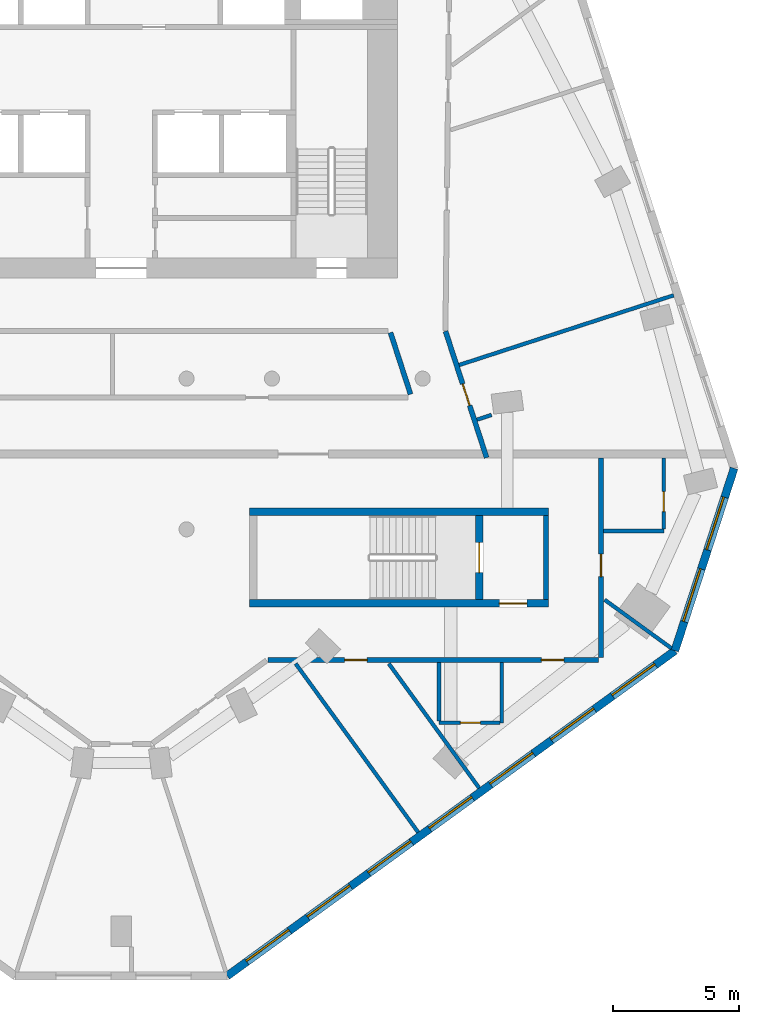
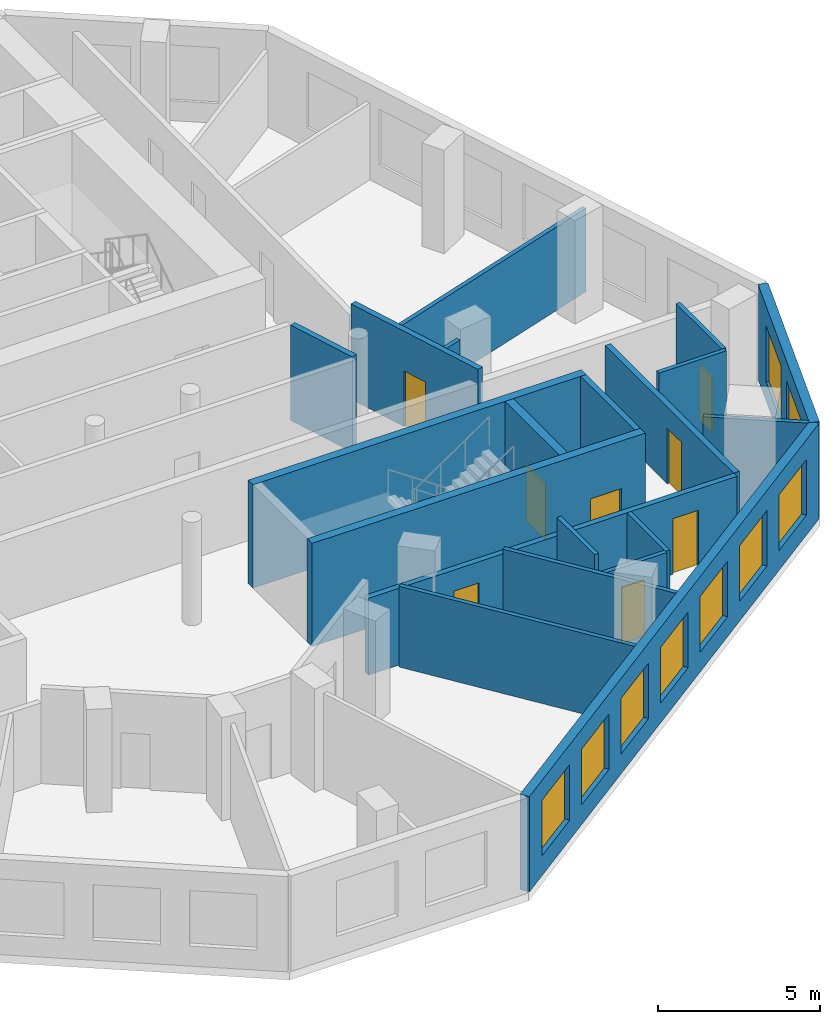
# One storey, part 4 of 9: 20 walls, 9 windows, 8 doors, 17 openings.
"""IFC4 building model written with IfcOpenShell, lengths in metres."""

from ifc_helpers import new_model, si_unit, direction, frame, frame_2d, origin, place, context, subcontext, project, spatial, rectangle, extrude, material, layer, layer_set, type_object, element, fill, save


model = new_model("IFC4")

# Units and contexts
model_context = context("Model", 3, precision=1e-05, world=origin(), true_north=direction((0.0, 1.0)))
body_context = subcontext(model_context, "Body", "Model", "MODEL_VIEW")
ifc_project = project(units=[si_unit("LENGTHUNIT", "METRE"), si_unit("AREAUNIT", "SQUARE_METRE"), si_unit("VOLUMEUNIT", "CUBIC_METRE"), si_unit("PLANEANGLEUNIT", "RADIAN"), si_unit("MASSUNIT", "GRAM", prefix="KILO")], contexts=[model_context])

# Site, building, storey
site_placement = place(None, origin())
site = spatial("IfcSite", under=ifc_project, at=site_placement, CompositionType="ELEMENT")
building_placement = place(site_placement, origin())
building = spatial("IfcBuilding", under=site, at=building_placement, Name="White Candle Pilgrim Tower", CompositionType="ELEMENT")
storey_placement = place(building_placement, frame((0.0, 0.0, 227.699951171875)))
storey = spatial("IfcBuildingStorey", under=building, at=storey_placement, Name="L53", CompositionType="ELEMENT", Elevation=227.699951171875)

# Wall
ifc_material_1 = material(Name="Concrete C50/60", Category="concrete")
ifc_layer_1 = layer(ifc_material_1, 0.199951171875)
ifc_layer_set_1 = layer_set([ifc_layer_1], Name="Core wall 200 mm Concrete C50/60")
wall_type_1 = type_object("IfcWallType", Name="Core wall 200 mm Concrete C50/60", PredefinedType="SHEAR", material=ifc_layer_set_1)
wall_1_placement = place(storey_placement, frame((86.89990234375, 58.199951171875, 0.0), z_axis=(0.0, 0.0, 1.0), x_axis=(0.0, 1.0, 0.0)))
element("IfcWall", 1, at=wall_1_placement, inside=storey, type_object=wall_type_1, Name="WL-L53-C08", PredefinedType="SHEAR", context=body_context, shape_type="SweptSolid", body=[
    extrude(rectangle(XDim=3.35009765625, YDim=0.199951171875, at=frame_2d((1.675048828125, 0.0))), origin(), (0.0, 0.0, 1.0), 3.900146484375),
])

# Wall, opening, door
ifc_material_2 = material(Name="Gypsum board on steel studs", Category="steel")
ifc_layer_2 = layer(ifc_material_2, 0.199951171875)
ifc_layer_set_2 = layer_set([ifc_layer_2], Name="Corridor wall 200 mm EI 45")
wall_type_2 = type_object("IfcWallType", Name="Corridor wall 200 mm EI 45", PredefinedType="PARTITIONING", material=ifc_layer_set_2)
wall_2_placement = place(storey_placement, frame((82.909912109375, 68.884521484375, 0.0), z_axis=(0.0, 0.0, 1.0), x_axis=(0.309009941901, -0.951058807754, 0.0)))
wall_2 = element("IfcWall", 2, at=wall_2_placement, inside=storey, type_object=wall_type_2, Name="WL-L53-P005", PredefinedType="PARTITIONING", context=body_context, shape_type="SweptSolid", body=[
    extrude(rectangle(XDim=5.29345703125, YDim=0.199951171875, at=frame_2d((2.646728515625, 0.0))), origin(), (0.0, 0.0, 1.0), 3.60009765625),
])
opening_1_placement = place(wall_2_placement, frame((2.203857421875, 0.0, 0.0)))
opening_1 = element("IfcOpeningElement", 3, at=opening_1_placement, cuts=wall_2, Name="Opening T16-123", PredefinedType="OPENING", context=body_context, shape_type="SweptSolid", body=[
    extrude(rectangle(XDim=0.89990234375, YDim=2.10009765625, at=frame_2d((0.449951171875, 1.050048828125))), frame((0.0, 0.10986328125, 0.0), z_axis=(0.0, -1.0, 0.0), x_axis=(1.0, 0.0, 0.0)), (0.0, 0.0, 1.0), 0.219970703125),
])
ifc_material_3 = material(Name="Steel door leaf", Category="steel")
door_type_1 = type_object("IfcDoorType", Name="Fire door 900 x 2100 EI 30", OperationType="NOTDEFINED", PredefinedType="DOOR", material=ifc_material_3)
door_1_placement = place(opening_1_placement, origin())
door_1 = element("IfcDoor", 4, at=door_1_placement, inside=storey, type_object=door_type_1, Name="Door T16-123", OperationType="SINGLE_SWING_LEFT", OverallHeight=2.10009765625, OverallWidth=0.89990234375, PredefinedType="DOOR", context=body_context, shape_type="SweptSolid", body=[
    extrude(rectangle(XDim=0.89990234375, YDim=2.10009765625, at=frame_2d((0.449951171875, 1.050048828125))), frame((0.0, 0.02490234375, 0.0), z_axis=(0.0, -1.0, 0.0), x_axis=(1.0, 0.0, 0.0)), (0.0, 0.0, 1.0), 0.050048828125),
])
fill(opening_1, door_1)

wall_3_placement = place(storey_placement, frame((89.10009765625, 63.85009765625, 0.0), z_axis=(0.0, 0.0, 1.0), x_axis=(0.0, -1.0, 0.0)))
wall_3 = element("IfcWall", 5, at=wall_3_placement, inside=storey, type_object=wall_type_2, Name="WL-L53-P006", PredefinedType="PARTITIONING", context=body_context, shape_type="SweptSolid", body=[
    extrude(rectangle(XDim=7.9501953125, YDim=0.199951171875, at=frame_2d((3.97509765625, 0.0))), origin(), (0.0, 0.0, 1.0), 2.900146484375),
])
opening_2_placement = place(wall_3_placement, frame((3.833251953125, 0.0, 0.0)))
opening_2 = element("IfcOpeningElement", 6, at=opening_2_placement, cuts=wall_3, Name="Opening T16-113", PredefinedType="OPENING", context=body_context, shape_type="SweptSolid", body=[
    extrude(rectangle(XDim=0.89990234375, YDim=2.10009765625, at=frame_2d((0.449951171875, 1.050048828125))), frame((0.0, 0.10986328125, 0.0), z_axis=(0.0, -1.0, 0.0), x_axis=(1.0, 0.0, 0.0)), (0.0, 0.0, 1.0), 0.219970703125),
])
door_2_placement = place(opening_2_placement, origin())
door_2 = element("IfcDoor", 7, at=door_2_placement, inside=storey, type_object=door_type_1, Name="Door T16-113", OperationType="SINGLE_SWING_LEFT", OverallHeight=2.10009765625, OverallWidth=0.89990234375, PredefinedType="DOOR", context=body_context, shape_type="SweptSolid", body=[
    extrude(rectangle(XDim=0.89990234375, YDim=2.10009765625, at=frame_2d((0.449951171875, 1.050048828125))), frame((0.0, 0.02490234375, 0.0), z_axis=(0.0, -1.0, 0.0), x_axis=(1.0, 0.0, 0.0)), (0.0, 0.0, 1.0), 0.050048828125),
])
fill(opening_2, door_2)

# Wall, openings, doors
wall_4_placement = place(storey_placement, frame((89.0, 55.800048828125, 0.0), z_axis=(0.0, 0.0, 1.0), x_axis=(-1.0, 0.0, 0.0)))
wall_4 = element("IfcWall", 8, at=wall_4_placement, inside=storey, type_object=wall_type_2, Name="WL-L53-P007", PredefinedType="PARTITIONING", context=body_context, shape_type="SweptSolid", body=[
    extrude(rectangle(XDim=13.156982421875, YDim=0.199951171875, at=frame_2d((6.57861328125, 0.0))), origin(), (0.0, 0.0, 1.0), 2.900146484375),
])
opening_3_placement = place(wall_4_placement, frame((9.2080078125, 0.0, 0.0)))
opening_3 = element("IfcOpeningElement", 9, at=opening_3_placement, cuts=wall_4, Name="Opening T16-109", PredefinedType="OPENING", context=body_context, shape_type="SweptSolid", body=[
    extrude(rectangle(XDim=0.89990234375, YDim=2.10009765625, at=frame_2d((0.449951171875, 1.050048828125))), frame((0.0, 0.10986328125, 0.0), z_axis=(0.0, -1.0, 0.0), x_axis=(1.0, 0.0, 0.0)), (0.0, 0.0, 1.0), 0.219970703125),
])
opening_4_placement = place(wall_4_placement, frame((1.376953125, 0.0, 0.0)))
opening_4 = element("IfcOpeningElement", 10, at=opening_4_placement, cuts=wall_4, Name="Opening T16-111", PredefinedType="OPENING", context=body_context, shape_type="SweptSolid", body=[
    extrude(rectangle(XDim=0.89990234375, YDim=2.10009765625, at=frame_2d((0.449951171875, 1.050048828125))), frame((0.0, 0.10986328125, 0.0), z_axis=(0.0, -1.0, 0.0), x_axis=(1.0, 0.0, 0.0)), (0.0, 0.0, 1.0), 0.219970703125),
])
door_3_placement = place(opening_3_placement, origin())
door_3 = element("IfcDoor", 11, at=door_3_placement, inside=storey, type_object=door_type_1, Name="Door T16-109", OperationType="SINGLE_SWING_LEFT", OverallHeight=2.10009765625, OverallWidth=0.89990234375, PredefinedType="DOOR", context=body_context, shape_type="SweptSolid", body=[
    extrude(rectangle(XDim=0.89990234375, YDim=2.10009765625, at=frame_2d((0.449951171875, 1.050048828125))), frame((0.0, 0.02490234375, 0.0), z_axis=(0.0, -1.0, 0.0), x_axis=(1.0, 0.0, 0.0)), (0.0, 0.0, 1.0), 0.050048828125),
])
fill(opening_3, door_3)
door_4_placement = place(opening_4_placement, origin())
door_4 = element("IfcDoor", 12, at=door_4_placement, inside=storey, type_object=door_type_1, Name="Door T16-111", OperationType="SINGLE_SWING_LEFT", OverallHeight=2.10009765625, OverallWidth=0.89990234375, PredefinedType="DOOR", context=body_context, shape_type="SweptSolid", body=[
    extrude(rectangle(XDim=0.89990234375, YDim=2.10009765625, at=frame_2d((0.449951171875, 1.050048828125))), frame((0.0, 0.02490234375, 0.0), z_axis=(0.0, -1.0, 0.0), x_axis=(1.0, 0.0, 0.0)), (0.0, 0.0, 1.0), 0.050048828125),
])
fill(opening_4, door_4)

# Wall
wall_5_placement = place(storey_placement, frame((81.51513671875, 66.380859375, 0.0), z_axis=(0.0, 0.0, 1.0), x_axis=(-0.308968203288, 0.951072368097, 0.0)))
element("IfcWall", 13, at=wall_5_placement, inside=storey, type_object=wall_type_2, Name="WL-L53-P016", PredefinedType="PARTITIONING", context=body_context, shape_type="SweptSolid", body=[
    extrude(rectangle(XDim=2.575927734375, YDim=0.199951171875, at=frame_2d((1.2880859375, 0.0))), origin(), (0.0, 0.0, 1.0), 3.60009765625),
])

# Wall, openings, windows
ifc_material_4 = material(Name="Precast concrete C40/50", Category="concrete")
ifc_layer_3 = layer(ifc_material_4, 0.320068359375)
ifc_layer_set_3 = layer_set([ifc_layer_3], Name="Facade wall EW1 precast concrete C40/50 pier wall with timber-lined reveals")
wall_type_3 = type_object("IfcWallType", Name="Facade wall EW1 precast concrete C40/50 pier wall with timber-lined reveals", PredefinedType="SOLIDWALL", material=ifc_layer_set_3)
wall_6_placement = place(storey_placement, frame((74.21826171875, 43.221923828125, 0.0), z_axis=(0.0, 0.0, 1.0), x_axis=(0.809020717907, 0.587780127256, 0.0)))
wall_6 = element("IfcWall", 14, at=wall_6_placement, inside=storey, type_object=wall_type_3, Name="Facade wall L53 SE", PredefinedType="SOLIDWALL", context=body_context, shape_type="SweptSolid", body=[
    extrude(rectangle(XDim=22.02490234375, YDim=0.320068359375, at=frame_2d((11.012451171875, 0.0))), origin(), (0.0, 0.0, 1.0), 3.60009765625),
])
opening_5_placement = place(wall_6_placement, frame((0.96240234375, 0.0, 0.75)))
opening_5 = element("IfcOpeningElement", 15, at=opening_5_placement, cuts=wall_6, Name="Opening W3", PredefinedType="OPENING", context=body_context, shape_type="SweptSolid", body=[
    extrude(rectangle(XDim=2.10009765625, YDim=2.10009765625, at=frame_2d((1.050048828125, 1.050048828125))), frame((0.0, 0.169921875, 0.0), z_axis=(0.0, -1.0, 0.0), x_axis=(1.0, 0.0, 0.0)), (0.0, 0.0, 1.0), 0.340087890625),
])
opening_6_placement = place(wall_6_placement, frame((3.96240234375, 0.0, 0.75)))
opening_6 = element("IfcOpeningElement", 16, at=opening_6_placement, cuts=wall_6, Name="Opening W3", PredefinedType="OPENING", context=body_context, shape_type="SweptSolid", body=[
    extrude(rectangle(XDim=2.10009765625, YDim=2.10009765625, at=frame_2d((1.050048828125, 1.050048828125))), frame((0.0, 0.169921875, 0.0), z_axis=(0.0, -1.0, 0.0), x_axis=(1.0, 0.0, 0.0)), (0.0, 0.0, 1.0), 0.340087890625),
])
opening_7_placement = place(wall_6_placement, frame((6.96240234375, 0.0, 0.75)))
opening_7 = element("IfcOpeningElement", 17, at=opening_7_placement, cuts=wall_6, Name="Opening W3", PredefinedType="OPENING", context=body_context, shape_type="SweptSolid", body=[
    extrude(rectangle(XDim=2.10009765625, YDim=2.10009765625, at=frame_2d((1.050048828125, 1.050048828125))), frame((0.0, 0.169921875, 0.0), z_axis=(0.0, -1.0, 0.0), x_axis=(1.0, 0.0, 0.0)), (0.0, 0.0, 1.0), 0.340087890625),
])
opening_8_placement = place(wall_6_placement, frame((9.96240234375, 0.0, 0.75)))
opening_8 = element("IfcOpeningElement", 18, at=opening_8_placement, cuts=wall_6, Name="Opening W3", PredefinedType="OPENING", context=body_context, shape_type="SweptSolid", body=[
    extrude(rectangle(XDim=2.10009765625, YDim=2.10009765625, at=frame_2d((1.050048828125, 1.050048828125))), frame((0.0, 0.169921875, 0.0), z_axis=(0.0, -1.0, 0.0), x_axis=(1.0, 0.0, 0.0)), (0.0, 0.0, 1.0), 0.340087890625),
])
opening_9_placement = place(wall_6_placement, frame((12.96240234375, 0.0, 0.75)))
opening_9 = element("IfcOpeningElement", 19, at=opening_9_placement, cuts=wall_6, Name="Opening W3", PredefinedType="OPENING", context=body_context, shape_type="SweptSolid", body=[
    extrude(rectangle(XDim=2.10009765625, YDim=2.10009765625, at=frame_2d((1.050048828125, 1.050048828125))), frame((0.0, 0.169921875, 0.0), z_axis=(0.0, -1.0, 0.0), x_axis=(1.0, 0.0, 0.0)), (0.0, 0.0, 1.0), 0.340087890625),
])
opening_10_placement = place(wall_6_placement, frame((15.96240234375, 0.0, 0.75)))
opening_10 = element("IfcOpeningElement", 20, at=opening_10_placement, cuts=wall_6, Name="Opening W3", PredefinedType="OPENING", context=body_context, shape_type="SweptSolid", body=[
    extrude(rectangle(XDim=2.10009765625, YDim=2.10009765625, at=frame_2d((1.050048828125, 1.050048828125))), frame((0.0, 0.169921875, 0.0), z_axis=(0.0, -1.0, 0.0), x_axis=(1.0, 0.0, 0.0)), (0.0, 0.0, 1.0), 0.340087890625),
])
opening_11_placement = place(wall_6_placement, frame((18.96240234375, 0.0, 0.75)))
opening_11 = element("IfcOpeningElement", 21, at=opening_11_placement, cuts=wall_6, Name="Opening W3", PredefinedType="OPENING", context=body_context, shape_type="SweptSolid", body=[
    extrude(rectangle(XDim=2.10009765625, YDim=2.10009765625, at=frame_2d((1.050048828125, 1.050048828125))), frame((0.0, 0.169921875, 0.0), z_axis=(0.0, -1.0, 0.0), x_axis=(1.0, 0.0, 0.0)), (0.0, 0.0, 1.0), 0.340087890625),
])
ifc_material_5 = material(Name="Timber frame with triple glazing", Category="wood")
window_type_1 = type_object("IfcWindowType", Name="Window W3 2100x2100 timber frame triple glazing", PartitioningType="SINGLE_PANEL", PredefinedType="WINDOW", material=ifc_material_5)
window_1_placement = place(opening_5_placement, origin())
window_1 = element("IfcWindow", 22, at=window_1_placement, inside=storey, type_object=window_type_1, Name="Window W3 L53 SE 1", OverallHeight=2.10009765625, OverallWidth=2.10009765625, PartitioningType="SINGLE_PANEL", PredefinedType="WINDOW", context=body_context, shape_type="SweptSolid", body=[
    extrude(rectangle(XDim=2.10009765625, YDim=2.10009765625, at=frame_2d((1.050048828125, 1.050048828125))), frame((0.0, 0.070068359375, 0.0), z_axis=(0.0, -1.0, 0.0), x_axis=(1.0, 0.0, 0.0)), (0.0, 0.0, 1.0), 0.06005859375),
])
fill(opening_5, window_1)
window_2_placement = place(opening_6_placement, origin())
window_2 = element("IfcWindow", 23, at=window_2_placement, inside=storey, type_object=window_type_1, Name="Window W3 L53 SE 2", OverallHeight=2.10009765625, OverallWidth=2.10009765625, PartitioningType="SINGLE_PANEL", PredefinedType="WINDOW", context=body_context, shape_type="SweptSolid", body=[
    extrude(rectangle(XDim=2.10009765625, YDim=2.10009765625, at=frame_2d((1.050048828125, 1.050048828125))), frame((0.0, 0.070068359375, 0.0), z_axis=(0.0, -1.0, 0.0), x_axis=(1.0, 0.0, 0.0)), (0.0, 0.0, 1.0), 0.06005859375),
])
fill(opening_6, window_2)
window_3_placement = place(opening_7_placement, origin())
window_3 = element("IfcWindow", 24, at=window_3_placement, inside=storey, type_object=window_type_1, Name="Window W3 L53 SE 3", OverallHeight=2.10009765625, OverallWidth=2.10009765625, PartitioningType="SINGLE_PANEL", PredefinedType="WINDOW", context=body_context, shape_type="SweptSolid", body=[
    extrude(rectangle(XDim=2.10009765625, YDim=2.10009765625, at=frame_2d((1.050048828125, 1.050048828125))), frame((0.0, 0.070068359375, 0.0), z_axis=(0.0, -1.0, 0.0), x_axis=(1.0, 0.0, 0.0)), (0.0, 0.0, 1.0), 0.06005859375),
])
fill(opening_7, window_3)
window_4_placement = place(opening_8_placement, origin())
window_4 = element("IfcWindow", 25, at=window_4_placement, inside=storey, type_object=window_type_1, Name="Window W3 L53 SE 4", OverallHeight=2.10009765625, OverallWidth=2.10009765625, PartitioningType="SINGLE_PANEL", PredefinedType="WINDOW", context=body_context, shape_type="SweptSolid", body=[
    extrude(rectangle(XDim=2.10009765625, YDim=2.10009765625, at=frame_2d((1.050048828125, 1.050048828125))), frame((0.0, 0.070068359375, 0.0), z_axis=(0.0, -1.0, 0.0), x_axis=(1.0, 0.0, 0.0)), (0.0, 0.0, 1.0), 0.06005859375),
])
fill(opening_8, window_4)
window_5_placement = place(opening_9_placement, origin())
window_5 = element("IfcWindow", 26, at=window_5_placement, inside=storey, type_object=window_type_1, Name="Window W3 L53 SE 5", OverallHeight=2.10009765625, OverallWidth=2.10009765625, PartitioningType="SINGLE_PANEL", PredefinedType="WINDOW", context=body_context, shape_type="SweptSolid", body=[
    extrude(rectangle(XDim=2.10009765625, YDim=2.10009765625, at=frame_2d((1.050048828125, 1.050048828125))), frame((0.0, 0.070068359375, 0.0), z_axis=(0.0, -1.0, 0.0), x_axis=(1.0, 0.0, 0.0)), (0.0, 0.0, 1.0), 0.06005859375),
])
fill(opening_9, window_5)
window_6_placement = place(opening_10_placement, origin())
window_6 = element("IfcWindow", 27, at=window_6_placement, inside=storey, type_object=window_type_1, Name="Window W3 L53 SE 6", OverallHeight=2.10009765625, OverallWidth=2.10009765625, PartitioningType="SINGLE_PANEL", PredefinedType="WINDOW", context=body_context, shape_type="SweptSolid", body=[
    extrude(rectangle(XDim=2.10009765625, YDim=2.10009765625, at=frame_2d((1.050048828125, 1.050048828125))), frame((0.0, 0.070068359375, 0.0), z_axis=(0.0, -1.0, 0.0), x_axis=(1.0, 0.0, 0.0)), (0.0, 0.0, 1.0), 0.06005859375),
])
fill(opening_10, window_6)
window_7_placement = place(opening_11_placement, origin())
window_7 = element("IfcWindow", 28, at=window_7_placement, inside=storey, type_object=window_type_1, Name="Window W3 L53 SE 7", OverallHeight=2.10009765625, OverallWidth=2.10009765625, PartitioningType="SINGLE_PANEL", PredefinedType="WINDOW", context=body_context, shape_type="SweptSolid", body=[
    extrude(rectangle(XDim=2.10009765625, YDim=2.10009765625, at=frame_2d((1.050048828125, 1.050048828125))), frame((0.0, 0.070068359375, 0.0), z_axis=(0.0, -1.0, 0.0), x_axis=(1.0, 0.0, 0.0)), (0.0, 0.0, 1.0), 0.06005859375),
])
fill(opening_11, window_7)

wall_7_placement = place(storey_placement, frame((92.036865234375, 56.167724609375, 0.0), z_axis=(0.0, 0.0, 1.0), x_axis=(0.308997893913, 0.951062722199, 0.0)))
wall_7 = element("IfcWall", 29, at=wall_7_placement, inside=storey, type_object=wall_type_3, Name="Facade wall L53 E chamfer", PredefinedType="SOLIDWALL", context=body_context, shape_type="SweptSolid", body=[
    extrude(rectangle(XDim=7.637939453125, YDim=0.320068359375, at=frame_2d((3.81884765625, 0.0))), origin(), (0.0, 0.0, 1.0), 3.60009765625),
])
opening_12_placement = place(wall_7_placement, frame((1.218994140625, 0.0, 0.75)))
opening_12 = element("IfcOpeningElement", 30, at=opening_12_placement, cuts=wall_7, Name="Opening W4", PredefinedType="OPENING", context=body_context, shape_type="SweptSolid", body=[
    extrude(rectangle(XDim=2.199951171875, YDim=2.10009765625, at=frame_2d((1.10009765625, 1.050048828125))), frame((0.0, 0.169921875, 0.0), z_axis=(0.0, -1.0, 0.0), x_axis=(1.0, 0.0, 0.0)), (0.0, 0.0, 1.0), 0.340087890625),
])
opening_13_placement = place(wall_7_placement, frame((4.218994140625, 0.0, 0.75)))
opening_13 = element("IfcOpeningElement", 31, at=opening_13_placement, cuts=wall_7, Name="Opening W4", PredefinedType="OPENING", context=body_context, shape_type="SweptSolid", body=[
    extrude(rectangle(XDim=2.199951171875, YDim=2.10009765625, at=frame_2d((1.10009765625, 1.050048828125))), frame((0.0, 0.169921875, 0.0), z_axis=(0.0, -1.0, 0.0), x_axis=(1.0, 0.0, 0.0)), (0.0, 0.0, 1.0), 0.340087890625),
])
window_type_2 = type_object("IfcWindowType", Name="Window W4 2200x2100 timber frame triple glazing", PartitioningType="SINGLE_PANEL", PredefinedType="WINDOW", material=ifc_material_5)
window_8_placement = place(opening_12_placement, origin())
window_8 = element("IfcWindow", 32, at=window_8_placement, inside=storey, type_object=window_type_2, Name="Window W4 L53 E chamfer 1", OverallHeight=2.10009765625, OverallWidth=2.199951171875, PartitioningType="SINGLE_PANEL", PredefinedType="WINDOW", context=body_context, shape_type="SweptSolid", body=[
    extrude(rectangle(XDim=2.199951171875, YDim=2.10009765625, at=frame_2d((1.10009765625, 1.050048828125))), frame((0.0, 0.070068359375, 0.0), z_axis=(0.0, -1.0, 0.0), x_axis=(1.0, 0.0, 0.0)), (0.0, 0.0, 1.0), 0.06005859375),
])
fill(opening_12, window_8)
window_9_placement = place(opening_13_placement, origin())
window_9 = element("IfcWindow", 33, at=window_9_placement, inside=storey, type_object=window_type_2, Name="Window W4 L53 E chamfer 2", OverallHeight=2.10009765625, OverallWidth=2.199951171875, PartitioningType="SINGLE_PANEL", PredefinedType="WINDOW", context=body_context, shape_type="SweptSolid", body=[
    extrude(rectangle(XDim=2.199951171875, YDim=2.10009765625, at=frame_2d((1.10009765625, 1.050048828125))), frame((0.0, 0.070068359375, 0.0), z_axis=(0.0, -1.0, 0.0), x_axis=(1.0, 0.0, 0.0)), (0.0, 0.0, 1.0), 0.06005859375),
])
fill(opening_13, window_9)

# Walls
ifc_layer_4 = layer(ifc_material_2, 0.14990234375)
ifc_layer_set_4 = layer_set([ifc_layer_4], Name="Partition 150 mm EI 60")
wall_type_4 = type_object("IfcWallType", Name="Partition 150 mm EI 60", PredefinedType="PARTITIONING", material=ifc_layer_set_4)
wall_8_placement = place(storey_placement, frame((91.900634765625, 56.2666015625, 0.0), z_axis=(0.0, 0.0, 1.0), x_axis=(-0.808999643258, 0.587809133315, 0.0)))
element("IfcWall", 34, at=wall_8_placement, inside=storey, type_object=wall_type_4, Name="WL-L53-P021", PredefinedType="PARTITIONING", context=body_context, shape_type="SweptSolid", body=[
    extrude(rectangle(XDim=3.28369140625, YDim=0.14990234375, at=frame_2d((1.641845703125, 0.0))), origin(), (0.0, 0.0, 1.0), 3.60009765625),
])
wall_9_placement = place(storey_placement, frame((81.820068359375, 48.942626953125, 0.0), z_axis=(0.0, 0.0, 1.0), x_axis=(-0.587795526612, 0.809009529545, 0.0)))
element("IfcWall", 35, at=wall_9_placement, inside=storey, type_object=wall_type_4, Name="WL-L53-P029", PredefinedType="PARTITIONING", context=body_context, shape_type="SweptSolid", body=[
    extrude(rectangle(XDim=8.29833984375, YDim=0.14990234375, at=frame_2d((4.149169921875, 0.0))), origin(), (0.0, 0.0, 1.0), 3.050048828125),
])
wall_10_placement = place(storey_placement, frame((84.2470703125, 50.705810546875, 0.0), z_axis=(0.0, 0.0, 1.0), x_axis=(-0.58777542513, 0.809024134135, 0.0)))
element("IfcWall", 36, at=wall_10_placement, inside=storey, type_object=wall_type_4, Name="WL-L53-P030", PredefinedType="PARTITIONING", context=body_context, shape_type="SweptSolid", body=[
    extrude(rectangle(XDim=6.11865234375, YDim=0.14990234375, at=frame_2d((3.059326171875, 0.0))), origin(), (0.0, 0.0, 1.0), 3.150146484375),
])
wall_11_placement = place(storey_placement, frame((85.14599609375, 55.699951171875, 0.0), z_axis=(0.0, 0.0, 1.0), x_axis=(0.0, -1.0, 0.0)))
element("IfcWall", 37, at=wall_11_placement, inside=storey, type_object=wall_type_4, Name="WL-L53-P031", PredefinedType="PARTITIONING", context=body_context, shape_type="SweptSolid", body=[
    extrude(rectangle(XDim=2.39990234375, YDim=0.14990234375, at=frame_2d((1.199951171875, 0.0))), origin(), (0.0, 0.0, 1.0), 2.900146484375),
])

# Wall, opening, door
wall_12_placement = place(storey_placement, frame((82.64599609375, 53.300048828125, 0.0), z_axis=(0.0, 0.0, 1.0), x_axis=(1.0, 0.0, 0.0)))
wall_12 = element("IfcWall", 38, at=wall_12_placement, inside=storey, type_object=wall_type_4, Name="WL-L53-P032", PredefinedType="PARTITIONING", context=body_context, shape_type="SweptSolid", body=[
    extrude(rectangle(XDim=2.425048828125, YDim=0.14990234375, at=frame_2d((1.21240234375, 0.0))), origin(), (0.0, 0.0, 1.0), 2.900146484375),
])
opening_14_placement = place(wall_12_placement, frame((0.85009765625, 0.0, 0.0)))
opening_14 = element("IfcOpeningElement", 39, at=opening_14_placement, cuts=wall_12, Name="Opening T16-110", PredefinedType="OPENING", context=body_context, shape_type="SweptSolid", body=[
    extrude(rectangle(XDim=0.800048828125, YDim=2.10009765625, at=frame_2d((0.39990234375, 1.050048828125))), frame((0.0, 0.0849609375, 0.0), z_axis=(0.0, -1.0, 0.0), x_axis=(1.0, 0.0, 0.0)), (0.0, 0.0, 1.0), 0.169921875),
])
door_type_2 = type_object("IfcDoorType", Name="Fire door 800 x 2100 EI 30", OperationType="NOTDEFINED", PredefinedType="DOOR", material=ifc_material_3)
door_5_placement = place(opening_14_placement, frame((0.800048828125, 0.0, 0.0), z_axis=(0.0, 0.0, 1.0), x_axis=(-1.0, 0.0, 0.0)))
door_5 = element("IfcDoor", 40, at=door_5_placement, inside=storey, type_object=door_type_2, Name="Door T16-110", OperationType="SINGLE_SWING_LEFT", OverallHeight=2.10009765625, OverallWidth=0.800048828125, PredefinedType="DOOR", context=body_context, shape_type="SweptSolid", body=[
    extrude(rectangle(XDim=0.800048828125, YDim=2.10009765625, at=frame_2d((0.39990234375, 1.050048828125))), frame((0.0, 0.02490234375, 0.0), z_axis=(0.0, -1.0, 0.0), x_axis=(1.0, 0.0, 0.0)), (0.0, 0.0, 1.0), 0.050048828125),
])
fill(opening_14, door_5)

# Walls
wall_13_placement = place(storey_placement, frame((82.64599609375, 55.699951171875, 0.0), z_axis=(0.0, 0.0, 1.0), x_axis=(0.0, -1.0, 0.0)))
element("IfcWall", 41, at=wall_13_placement, inside=storey, type_object=wall_type_4, Name="WL-L53-P033", PredefinedType="PARTITIONING", context=body_context, shape_type="SweptSolid", body=[
    extrude(rectangle(XDim=2.324951171875, YDim=0.14990234375, at=frame_2d((1.16259765625, 0.0))), origin(), (0.0, 0.0, 1.0), 3.60009765625),
])
wall_14_placement = place(storey_placement, frame((89.199951171875, 60.931884765625, 0.0), z_axis=(0.0, 0.0, 1.0), x_axis=(1.0, 0.0, 0.0)))
element("IfcWall", 42, at=wall_14_placement, inside=storey, type_object=wall_type_4, Name="WL-L53-P034", PredefinedType="PARTITIONING", context=body_context, shape_type="SweptSolid", body=[
    extrude(rectangle(XDim=2.400146484375, YDim=0.14990234375, at=frame_2d((1.2001953125, 0.0))), origin(), (0.0, 0.0, 1.0), 3.60009765625),
])

# Wall, opening, door
wall_15_placement = place(storey_placement, frame((91.60009765625, 63.85009765625, 0.0), z_axis=(0.0, 0.0, 1.0), x_axis=(0.0, -1.0, 0.0)))
wall_15 = element("IfcWall", 43, at=wall_15_placement, inside=storey, type_object=wall_type_4, Name="WL-L53-P035", PredefinedType="PARTITIONING", context=body_context, shape_type="SweptSolid", body=[
    extrude(rectangle(XDim=2.84326171875, YDim=0.14990234375, at=frame_2d((1.421630859375, 0.0))), origin(), (0.0, 0.0, 1.0), 3.60009765625),
])
opening_15_placement = place(wall_15_placement, frame((1.34326171875, 0.0, 0.0)))
opening_15 = element("IfcOpeningElement", 44, at=opening_15_placement, cuts=wall_15, Name="Opening T16-112", PredefinedType="OPENING", context=body_context, shape_type="SweptSolid", body=[
    extrude(rectangle(XDim=0.800048828125, YDim=2.10009765625, at=frame_2d((0.39990234375, 1.050048828125))), frame((0.0, 0.0849609375, 0.0), z_axis=(0.0, -1.0, 0.0), x_axis=(1.0, 0.0, 0.0)), (0.0, 0.0, 1.0), 0.169921875),
])
door_6_placement = place(opening_15_placement, origin())
door_6 = element("IfcDoor", 45, at=door_6_placement, inside=storey, type_object=door_type_2, Name="Door T16-112", OperationType="SINGLE_SWING_RIGHT", OverallHeight=2.10009765625, OverallWidth=0.800048828125, PredefinedType="DOOR", context=body_context, shape_type="SweptSolid", body=[
    extrude(rectangle(XDim=0.800048828125, YDim=2.10009765625, at=frame_2d((0.39990234375, 1.050048828125))), frame((0.0, 0.02490234375, 0.0), z_axis=(0.0, -1.0, 0.0), x_axis=(1.0, 0.0, 0.0)), (0.0, 0.0, 1.0), 0.050048828125),
])
fill(opening_15, door_6)

# Walls
wall_16_placement = place(storey_placement, frame((91.99169921875, 70.31689453125, 0.0), z_axis=(0.0, 0.0, 1.0), x_axis=(-0.951059239389, -0.309008613427, 0.0)))
element("IfcWall", 46, at=wall_16_placement, inside=storey, type_object=wall_type_4, Name="WL-L53-P036", PredefinedType="PARTITIONING", context=body_context, shape_type="SweptSolid", body=[
    extrude(rectangle(XDim=8.97998046875, YDim=0.14990234375, at=frame_2d((4.489990234375, 0.0))), origin(), (0.0, 0.0, 1.0), 3.150146484375),
])
wall_17_placement = place(storey_placement, frame((84.7431640625, 65.55517578125, 0.0), z_axis=(0.0, 0.0, 1.0), x_axis=(-0.951077833303, -0.30895137967, 0.0)))
element("IfcWall", 47, at=wall_17_placement, inside=storey, type_object=wall_type_4, Name="WL-L53-P040", PredefinedType="PARTITIONING", context=body_context, shape_type="SweptSolid", body=[
    extrude(rectangle(XDim=0.61474609375, YDim=0.14990234375, at=frame_2d((0.307373046875, 0.0))), origin(), (0.0, 0.0, 1.0), 3.60009765625),
])

# Wall, opening, door
ifc_layer_5 = layer(ifc_material_1, 0.300048828125)
ifc_layer_set_5 = layer_set([ifc_layer_5], Name="Stair shaft wall 300 mm Concrete C50/60")
wall_type_5 = type_object("IfcWallType", Name="Stair shaft wall 300 mm Concrete C50/60", PredefinedType="SHEAR", material=ifc_layer_set_5)
wall_18_placement = place(storey_placement, frame((75.10009765625, 58.050048828125, 0.0), z_axis=(0.0, 0.0, 1.0), x_axis=(1.0, 0.0, 0.0)))
wall_18 = element("IfcWall", 48, at=wall_18_placement, inside=storey, type_object=wall_type_5, Name="WL-L53-C02", PredefinedType="SHEAR", context=body_context, shape_type="SweptSolid", body=[
    extrude(rectangle(XDim=11.89990234375, YDim=0.300048828125, at=frame_2d((5.949951171875, 0.0))), origin(), (0.0, 0.0, 1.0), 3.900146484375),
])
opening_16_placement = place(wall_18_placement, frame((9.949951171875, 0.0, 0.0)))
opening_16 = element("IfcOpeningElement", 49, at=opening_16_placement, cuts=wall_18, Name="Opening T16-012", PredefinedType="OPENING", context=body_context, shape_type="SweptSolid", body=[
    extrude(rectangle(XDim=1.10009765625, YDim=2.10009765625, at=frame_2d((0.550048828125, 1.050048828125))), frame((0.0, 0.159912109375, 0.0), z_axis=(0.0, -1.0, 0.0), x_axis=(1.0, 0.0, 0.0)), (0.0, 0.0, 1.0), 0.320068359375),
])
door_type_3 = type_object("IfcDoorType", Name="Fire door 1100 x 2100 EI 60", OperationType="NOTDEFINED", PredefinedType="DOOR", material=ifc_material_3)
door_7_placement = place(opening_16_placement, origin())
door_7 = element("IfcDoor", 50, at=door_7_placement, inside=storey, type_object=door_type_3, Name="Door T16-012", OperationType="SINGLE_SWING_RIGHT", OverallHeight=2.10009765625, OverallWidth=1.10009765625, PredefinedType="DOOR", context=body_context, shape_type="SweptSolid", body=[
    extrude(rectangle(XDim=1.10009765625, YDim=2.10009765625, at=frame_2d((0.550048828125, 1.050048828125))), frame((0.0, 0.02490234375, 0.0), z_axis=(0.0, -1.0, 0.0), x_axis=(1.0, 0.0, 0.0)), (0.0, 0.0, 1.0), 0.050048828125),
])
fill(opening_16, door_7)

wall_19_placement = place(storey_placement, frame((84.25, 58.199951171875, 0.0), z_axis=(0.0, 0.0, 1.0), x_axis=(0.0, 1.0, 0.0)))
wall_19 = element("IfcWall", 51, at=wall_19_placement, inside=storey, type_object=wall_type_5, Name="WL-L53-C07", PredefinedType="SHEAR", context=body_context, shape_type="SweptSolid", body=[
    extrude(rectangle(XDim=3.35009765625, YDim=0.300048828125, at=frame_2d((1.675048828125, 0.0))), origin(), (0.0, 0.0, 1.0), 3.900146484375),
])
opening_17_placement = place(wall_19_placement, frame((1.074951171875, 0.0, 0.0)))
opening_17 = element("IfcOpeningElement", 52, at=opening_17_placement, cuts=wall_19, Name="Opening T16-013", PredefinedType="OPENING", context=body_context, shape_type="SweptSolid", body=[
    extrude(rectangle(XDim=1.199951171875, YDim=2.10009765625, at=frame_2d((0.60009765625, 1.050048828125))), frame((0.0, 0.159912109375, 0.0), z_axis=(0.0, -1.0, 0.0), x_axis=(1.0, 0.0, 0.0)), (0.0, 0.0, 1.0), 0.320068359375),
])
door_type_4 = type_object("IfcDoorType", Name="Fire door 1200 x 2100 EI 60", OperationType="NOTDEFINED", PredefinedType="DOOR", material=ifc_material_3)
door_8_placement = place(opening_17_placement, origin())
door_8 = element("IfcDoor", 53, at=door_8_placement, inside=storey, type_object=door_type_4, Name="Door T16-013", OperationType="SINGLE_SWING_LEFT", OverallHeight=2.10009765625, OverallWidth=1.199951171875, PredefinedType="DOOR", context=body_context, shape_type="SweptSolid", body=[
    extrude(rectangle(XDim=1.199951171875, YDim=2.10009765625, at=frame_2d((0.60009765625, 1.050048828125))), frame((0.0, 0.02490234375, 0.0), z_axis=(0.0, -1.0, 0.0), x_axis=(1.0, 0.0, 0.0)), (0.0, 0.0, 1.0), 0.050048828125),
])
fill(opening_17, door_8)

# Wall
wall_20_placement = place(storey_placement, frame((75.10009765625, 61.699951171875, 0.0), z_axis=(0.0, 0.0, 1.0), x_axis=(1.0, 0.0, 0.0)))
element("IfcWall", 54, at=wall_20_placement, inside=storey, type_object=wall_type_5, Name="WL-L53-C10", PredefinedType="SHEAR", context=body_context, shape_type="SweptSolid", body=[
    extrude(rectangle(XDim=11.89990234375, YDim=0.300048828125, at=frame_2d((5.949951171875, 0.0))), origin(), (0.0, 0.0, 1.0), 3.900146484375),
])

save(model, "model.ifc")
